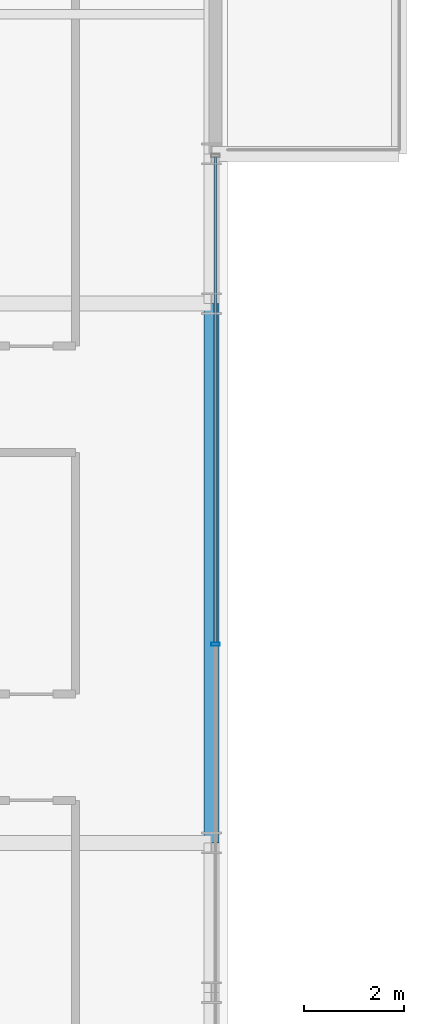
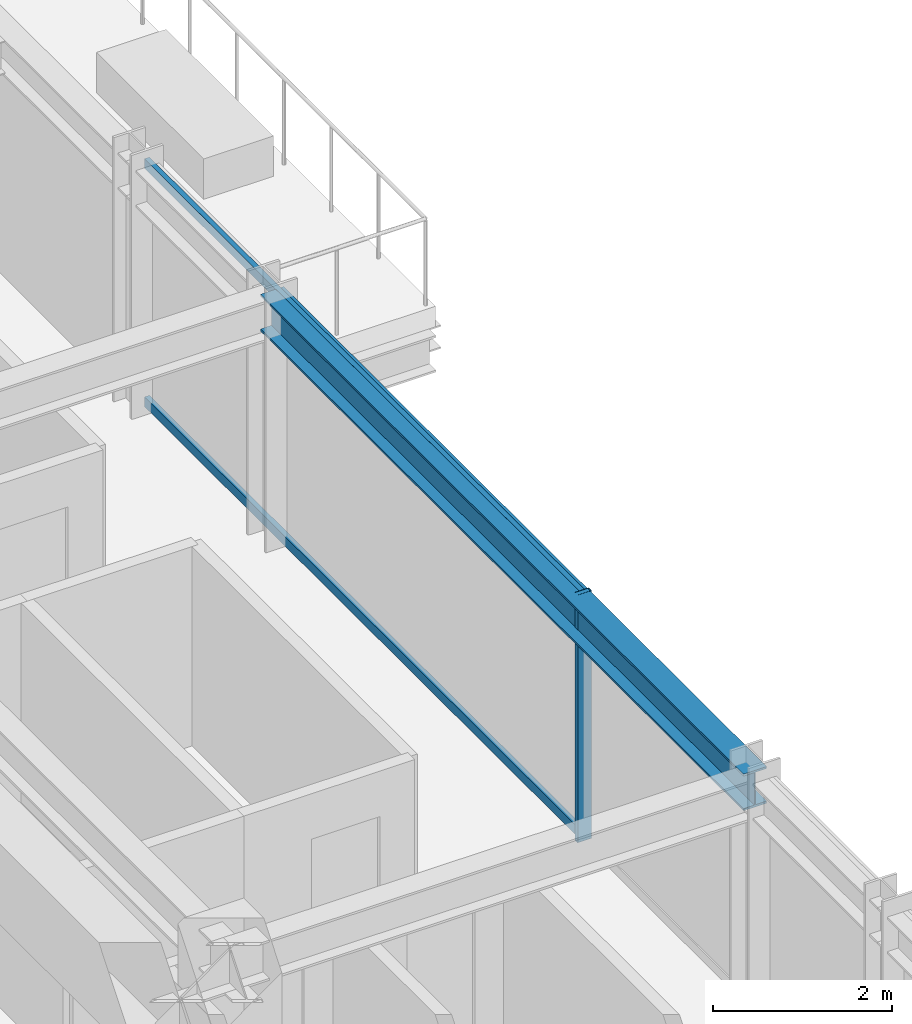
# One storey, part 16 of 33: 3 members, 1 beam, 1 element without a shape of its own.
"""IFC4 building model written with IfcOpenShell, lengths in metres."""

from ifc_helpers import new_model, si_unit, direction, frame, origin, origin_2d, place, context, subcontext, project, spatial, hollow_rectangle, i_section, extrude, source, transform, mapped, material, material_profile, profile_set, type_object, element, aggregate, save


model = new_model("IFC4")

# Units and contexts
model_context = context("Model", 3, precision=1e-05, world=origin(), true_north=direction((0.0, 1.0)))
body_context = subcontext(model_context, "Body", "Model", "MODEL_VIEW")
ifc_project = project(units=[si_unit("LENGTHUNIT", "METRE"), si_unit("AREAUNIT", "SQUARE_METRE"), si_unit("VOLUMEUNIT", "CUBIC_METRE"), si_unit("PLANEANGLEUNIT", "RADIAN"), si_unit("MASSUNIT", "GRAM", prefix="KILO")], contexts=[model_context])

# Site, building, storey
site_placement = place(None, origin())
site = spatial("IfcSite", under=ifc_project, at=site_placement, CompositionType="ELEMENT")
building_placement = place(site_placement, origin())
building = spatial("IfcBuilding", under=site, at=building_placement, Name="Nahalor Promenade Grand Hotel", CompositionType="ELEMENT")
storey_placement = place(building_placement, frame((0.0, 0.0, 117.5)))
storey = spatial("IfcBuildingStorey", under=building, at=storey_placement, Name="L29", CompositionType="ELEMENT", Elevation=117.5)

# Beam
ifc_material_1 = material(Name="Steel S355JR", Category="steel")
ifc_material_profile_1 = material_profile(ifc_material_1, i_section(OverallWidth=0.3, OverallDepth=0.5, WebThickness=0.0145, FlangeThickness=0.028, at=origin_2d()), Name="HEB 500")
ifc_profile_set_1 = profile_set([ifc_material_profile_1], Name="Steel S355JR")
beam_type = type_object("IfcBeamType", Name="Beam-Spandrel-HEB500", PredefinedType="SPANDREL", material=ifc_profile_set_1)
shared_shape_1 = source(origin(), body_context, "Body", "SweptSolid", [
    extrude(i_section(OverallWidth=0.3, OverallDepth=0.5, WebThickness=0.0145, FlangeThickness=0.028, at=origin_2d()), origin(), (0.0, 0.0, 1.0), 10.7998046875),
])
beam_placement = place(storey_placement, frame((23.780029296875, -5.39990234375, 3.1298828125), z_axis=(0.0, 1.0, 0.0), x_axis=(-1.0, 0.0, 0.0)))
element("IfcBeam", 1, at=beam_placement, inside=storey, type_object=beam_type, Name="BM-L29-SP-E-2", PredefinedType="SPANDREL", context=body_context, shape_type="MappedRepresentation", body=[
    mapped(shared_shape_1, transform((0.0, 0.0, 0.0), scale=1.0)),
])

# Curtain wall, members
ifc_material_2 = material(Name="Anodised Bronze Aluminium EN AW-6063 T6", Category="aluminium")
curtain_wall_type = type_object("IfcCurtainWallType", Name="CW2 Typical Hotel Flush Bronze Unitised Curtain Wall", PredefinedType="USERDEFINED", material=ifc_material_2)
curtain_wall_placement = place(storey_placement, origin())
curtain_wall = element("IfcCurtainWall", 2, at=curtain_wall_placement, inside=storey, type_object=curtain_wall_type, Name="L29 Curtain Wall CW-L29-E-1", ObjectType="UNITISED_CURTAIN_WALL", PredefinedType="USERDEFINED")
ifc_material_profile_2 = material_profile(ifc_material_2, hollow_rectangle(XDim=0.065, YDim=0.18, WallThickness=0.004, at=origin_2d()), Name="CWM 65x180x4")
ifc_profile_set_2 = profile_set([ifc_material_profile_2], Name="Anodised Bronze Aluminium EN AW-6063 T6")
member_type_1 = type_object("IfcMemberType", Name="CWM2 Typical Bronze Mullion 65x180", PredefinedType="MULLION", material=ifc_profile_set_2)
shared_shape_2 = source(origin(), body_context, "Body", "SweptSolid", [
    extrude(hollow_rectangle(XDim=0.065, YDim=0.18, WallThickness=0.004, at=origin_2d()), origin(), (0.0, 0.0, 1.0), 3.3798828125),
])
member_1_placement = place(storey_placement, frame((23.860107421875, -1.419921875, 0.0), z_axis=(0.0, 0.0, 1.0), x_axis=(0.0, 1.0, 0.0)))
member_1 = element("IfcMember", 3, at=member_1_placement, type_object=member_type_1, Name="CW-L29-E-1 Mullion 2", PredefinedType="MULLION", context=body_context, shape_type="MappedRepresentation", body=[
    mapped(shared_shape_2, transform((0.0, 0.0, 0.0), scale=1.0)),
])
ifc_material_profile_3 = material_profile(ifc_material_2, hollow_rectangle(XDim=0.065, YDim=0.13, WallThickness=0.004, at=origin_2d()), Name="CWT 65x130x4")
ifc_profile_set_3 = profile_set([ifc_material_profile_3], Name="Anodised Bronze Aluminium EN AW-6063 T6")
member_type_2 = type_object("IfcMemberType", Name="CWT2 Typical Bronze Transom 65x130", PredefinedType="USERDEFINED", material=ifc_profile_set_3)
shared_shape_3 = source(origin(), body_context, "Body", "SweptSolid", [
    extrude(hollow_rectangle(XDim=0.065, YDim=0.13, WallThickness=0.004, at=origin_2d()), origin(), (0.0, 0.0, 1.0), 9.722412109375),
])
member_2_placement = place(storey_placement, frame((23.860107421875, -1.387451171875, 0.06494140625), z_axis=(0.0, 1.0, 0.0), x_axis=(-1.0, 0.0, 0.0)))
member_2 = element("IfcMember", 4, at=member_2_placement, type_object=member_type_2, Name="CW-L29-E-1 Transom 2-0", ObjectType="TRANSOM", PredefinedType="USERDEFINED", context=body_context, shape_type="MappedRepresentation", body=[
    mapped(shared_shape_3, transform((0.0, 0.0, 0.0), scale=1.0)),
])
member_3_placement = place(storey_placement, frame((23.860107421875, -1.387451171875, 3.31494140625), z_axis=(0.0, 1.0, 0.0), x_axis=(-1.0, 0.0, 0.0)))
member_3 = element("IfcMember", 5, at=member_3_placement, type_object=member_type_2, Name="CW-L29-E-1 Transom 2-1", ObjectType="TRANSOM", PredefinedType="USERDEFINED", context=body_context, shape_type="MappedRepresentation", body=[
    mapped(shared_shape_3, transform((0.0, 0.0, 0.0), scale=1.0)),
])
aggregate(curtain_wall, [member_1, member_2, member_3])

save(model, "model.ifc")
